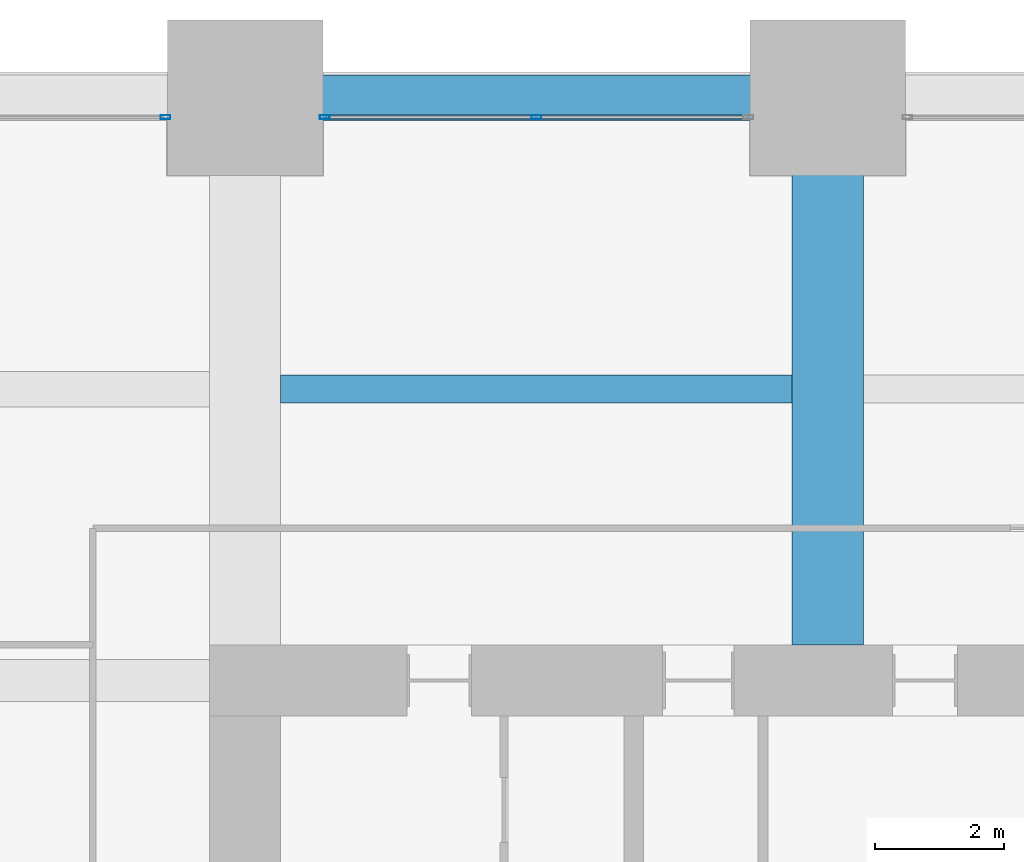
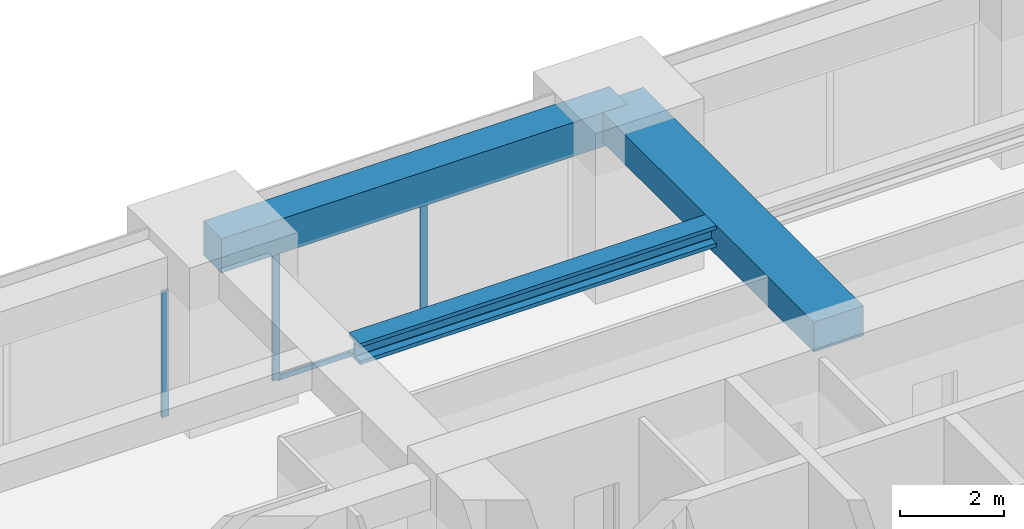
# One storey, part 24 of 32: 4 members, 3 beams, 2 elements without a shape of their own.
"""IFC4 building model written with IfcOpenShell, lengths in metres."""

import ifcopenshell
import ifcopenshell.guid

model = None  # the IFC model being written
_history = None  # IfcOwnerHistory: only IFC2X3 demands one
_inside = {}  # id of a spatial element -> (the spatial element, [elements in it])
_under = {}  # id of a project, library or spatial element -> (it, [spatial elements below it])
_declared = {}  # id of a project -> (the project, [libraries it declares])
_typed = {}  # id of a type object -> (the type object, [elements of that type])
_made_of = {}  # id of a material, layer set ... -> (it, [elements and type objects made of it])


def new_model(schema):
    """Start an empty IFC model of exactly this schema.

    Asked for "IFC4X3", IfcOpenShell would pick the latest addendum, in which some entities
    have other attributes; the version numbers below select the first issue.
    IFC2X3 requires an IfcOwnerHistory on every rooted entity: one is made here for all.
    """
    global model, _history
    if schema == "IFC4X3":
        model = ifcopenshell.file(schema_version=(4, 3, 0, 0))
    else:
        model = ifcopenshell.file(schema=schema)
    _inside.clear()
    _under.clear()
    _declared.clear()
    _typed.clear()
    _made_of.clear()
    _history = None
    if model.schema == "IFC2X3":
        org = make("IfcOrganization", Name="unknown")
        user = make(
            "IfcPersonAndOrganization",
            ThePerson=make("IfcPerson", FamilyName="unknown"),
            TheOrganization=org,
        )
        app = make(
            "IfcApplication",
            ApplicationDeveloper=org,
            Version="unknown",
            ApplicationFullName="unknown",
            ApplicationIdentifier="unknown",
        )
        _history = make(
            "IfcOwnerHistory",
            OwningUser=user,
            OwningApplication=app,
            ChangeAction="ADDED",
            CreationDate=0,
        )
    return model


def make(cls, **values):
    """One entity of the class cls with the attributes given. An attribute that is None is left unset."""
    return model.create_entity(
        cls, **{name: value for name, value in values.items() if value is not None}
    )


def rooted(cls, **values):
    """An entity with a GlobalId (a new one), such as an element, a storey or a relation."""
    return make(cls, GlobalId=ifcopenshell.guid.new(), OwnerHistory=_history, **values)


def si_unit(unit_type, name, prefix=None):
    """IfcSIUnit, for example si_unit("LENGTHUNIT", "METRE", prefix="MILLI")."""
    return make("IfcSIUnit", UnitType=unit_type, Prefix=prefix, Name=name)


def assignment(units):
    """IfcUnitAssignment: the units of a project."""
    return None if units is None else make("IfcUnitAssignment", Units=units)


def point(xyz):
    """IfcCartesianPoint."""
    return None if xyz is None else make("IfcCartesianPoint", Coordinates=xyz)


def direction(xyz):
    """IfcDirection."""
    return None if xyz is None else make("IfcDirection", DirectionRatios=xyz)


def frame(location, z_axis=None, x_axis=None):
    """IfcAxis2Placement3D, a coordinate frame: its origin and axes. An axis left out is left unset."""
    return make(
        "IfcAxis2Placement3D",
        Location=point(location),
        Axis=direction(z_axis),
        RefDirection=direction(x_axis),
    )


def frame_2d(location, x_axis=None):
    """IfcAxis2Placement2D, a coordinate frame in the plane: its origin and x axis."""
    return make(
        "IfcAxis2Placement2D", Location=point(location), RefDirection=direction(x_axis)
    )


def origin():
    """The frame at (0, 0, 0) with its axes left unset."""
    return frame((0.0, 0.0, 0.0))


def origin_2d():
    """The frame at (0, 0) in the plane with its x axis left unset."""
    return frame_2d((0.0, 0.0))


def place(relative_to, where):
    """IfcLocalPlacement: puts the frame where relative to a parent placement (None: the world)."""
    return make(
        "IfcLocalPlacement", PlacementRelTo=relative_to, RelativePlacement=where
    )


def context(
    kind, dimensions, precision=None, world=None, true_north=None, identifier=None
):
    """IfcGeometricRepresentationContext, for example the 3D "Model" context."""
    return make(
        "IfcGeometricRepresentationContext",
        ContextIdentifier=identifier,
        ContextType=kind,
        CoordinateSpaceDimension=dimensions,
        Precision=precision,
        WorldCoordinateSystem=world,
        TrueNorth=true_north,
    )


def subcontext(parent, identifier, kind, view, scale=None):
    """IfcGeometricRepresentationSubContext, for example "Body" below "Model"."""
    return make(
        "IfcGeometricRepresentationSubContext",
        ContextIdentifier=identifier,
        ContextType=kind,
        ParentContext=parent,
        TargetScale=scale,
        TargetView=view,
    )


def project(units=None, contexts=None):
    """IfcProject with its units and contexts."""
    return rooted(
        "IfcProject",
        Name="project",
        RepresentationContexts=contexts,
        UnitsInContext=assignment(units),
    )


def spatial(cls, under=None, at=None, **own):
    """A site, building, storey or space (cls), placed at a placement, below another one or the project."""
    s = rooted(cls, ObjectPlacement=at, **own)
    if under is not None:
        _under.setdefault(under.id(), (under, []))[1].append(s)
    return s


def profile(cls, at=None, kind="AREA", **sizes):
    """A parametric profile (cls). Its sizes go by their IFC names, for example OverallWidth=200.0."""
    return make(cls, ProfileType=kind, Position=at, **sizes)


def rectangle(**sizes):
    """IfcRectangleProfileDef."""
    return profile("IfcRectangleProfileDef", **sizes)


def hollow_rectangle(**sizes):
    """IfcRectangleHollowProfileDef."""
    return profile("IfcRectangleHollowProfileDef", **sizes)


def i_section(**sizes):
    """IfcIShapeProfileDef."""
    return profile("IfcIShapeProfileDef", **sizes)


def extrude(swept, where, along, depth):
    """IfcExtrudedAreaSolid: the profile swept, set in the frame where, extruded along a direction by depth."""
    return make(
        "IfcExtrudedAreaSolid",
        SweptArea=swept,
        Position=where,
        ExtrudedDirection=direction(along),
        Depth=depth,
    )


def shape(context_of_items, identifier, shape_type, items):
    """IfcShapeRepresentation: the items that make up one representation, for example the "Body"."""
    return make(
        "IfcShapeRepresentation",
        ContextOfItems=context_of_items,
        RepresentationIdentifier=identifier,
        RepresentationType=shape_type,
        Items=items,
    )


def material(Name=None, Category=None):
    """IfcMaterial."""
    return make("IfcMaterial", Name=Name, Category=Category)


def material_profile(
    of_material, cross_section, Name=None, Category=None, Priority=None
):
    """IfcMaterialProfile: a cross section and its material."""
    return make(
        "IfcMaterialProfile",
        Name=Name,
        Material=of_material,
        Profile=cross_section,
        Priority=Priority,
        Category=Category,
    )


def profile_set(profiles, Name=None, composite=None):
    """IfcMaterialProfileSet."""
    return make(
        "IfcMaterialProfileSet",
        Name=Name,
        MaterialProfiles=profiles,
        CompositeProfile=composite,
    )


def made_of(thing, what):
    """Note that an element or type object is made of a material, layer set ...; save() writes the relation."""
    if what is not None:
        _made_of.setdefault(what.id(), (what, []))[1].append(thing)
    return thing


def type_object(cls, material=None, **own):
    """A type object (cls), such as IfcWallType, which elements share."""
    return made_of(rooted(cls, **own), material)


def element(
    cls,
    number,
    at=None,
    inside=None,
    cuts=None,
    type_object=None,
    material=None,
    context=None,
    identifier="Body",
    shape_type=None,
    held_by="IfcProductDefinitionShape",
    body=None,
    shapes=None,
    **own,
):
    """One element of the class cls, such as IfcWall. Its Tag is "e" and its number.

    at: its placement. inside: the storey or other place that contains it. cuts: it is an
    opening in that element (IfcRelVoidsElement). A single representation is given by context,
    identifier, shape_type and body (its items); several are given by shapes. held_by: the class
    of the entity that holds the representations. save() writes the other relations.
    """
    e = rooted(cls, Tag="e%d" % number, ObjectPlacement=at, **own)
    if body is not None:
        shapes = [shape(context, identifier, shape_type, body)]
    if shapes is not None:
        e.Representation = make(held_by, Representations=shapes)
    if inside is not None:
        _inside.setdefault(inside.id(), (inside, []))[1].append(e)
    if cuts is not None:
        rooted(
            "IfcRelVoidsElement", RelatingBuildingElement=cuts, RelatedOpeningElement=e
        )
    if type_object is not None:
        _typed.setdefault(type_object.id(), (type_object, []))[1].append(e)
    return made_of(e, material)


def aggregate(whole, parts):
    """IfcRelAggregates: a whole, such as a stair, and the parts it consists of."""
    return rooted("IfcRelAggregates", RelatingObject=whole, RelatedObjects=parts)


def save(model, path):
    """Write the relations noted so far, then the file.

    IfcRelAggregates (storeys below a building ...), IfcRelContainedInSpatialStructure (elements
    in a storey), IfcRelDefinesByType, IfcRelAssociatesMaterial and IfcRelDeclares: one each for
    every whole, place, type object, material and project.
    """
    for whole, parts in _under.values():
        aggregate(whole, parts)
    for where, things in _inside.values():
        rooted(
            "IfcRelContainedInSpatialStructure",
            RelatedElements=things,
            RelatingStructure=where,
        )
    for kind, things in _typed.values():
        rooted("IfcRelDefinesByType", RelatedObjects=things, RelatingType=kind)
    for what, things in _made_of.values():
        rooted("IfcRelAssociatesMaterial", RelatedObjects=things, RelatingMaterial=what)
    for by, libraries in _declared.values():
        rooted("IfcRelDeclares", RelatingContext=by, RelatedDefinitions=libraries)
    model.write(path)


model = new_model("IFC4")

# Units and contexts
model_context = context("Model", 3, precision=1e-05, world=origin(), true_north=direction((0.0, 1.0)))
body_context = subcontext(model_context, "Body", "Model", "MODEL_VIEW")
ifc_project = project(units=[si_unit("LENGTHUNIT", "METRE"), si_unit("AREAUNIT", "SQUARE_METRE"), si_unit("VOLUMEUNIT", "CUBIC_METRE"), si_unit("PLANEANGLEUNIT", "RADIAN"), si_unit("MASSUNIT", "GRAM", prefix="KILO")], contexts=[model_context])

# Site, building, storey
site_placement = place(None, origin())
site = spatial("IfcSite", under=ifc_project, at=site_placement, CompositionType="ELEMENT")
building_placement = place(site_placement, origin())
building = spatial("IfcBuilding", under=site, at=building_placement, Name="Zorevar Civic Tower", CompositionType="ELEMENT")
storey_placement = place(building_placement, frame((0.0, 0.0, 182.199951171875)))
storey = spatial("IfcBuildingStorey", under=building, at=storey_placement, Name="L44", CompositionType="ELEMENT", Elevation=182.199951171875)

# Beam
ifc_material_1 = material(Name="Concrete C50/60", Category="concrete")
ifc_material_profile_1 = material_profile(ifc_material_1, rectangle(XDim=1.10009765625, YDim=0.699951171875, at=origin_2d()), Name="RC 1100x700")
ifc_profile_set_1 = profile_set([ifc_material_profile_1], Name="Concrete C50/60")
beam_type_1 = type_object("IfcBeamType", Name="Beam RC 1100x700", PredefinedType="BEAM", material=ifc_profile_set_1)
beam_1_placement = place(storey_placement, frame((27.0, 36.550048828125, 3.400146484375), z_axis=(0.0, 1.0, 0.0), x_axis=(-1.0, 0.0, 0.0)))
element("IfcBeam", 1, at=beam_1_placement, inside=storey, type_object=beam_type_1, Name="Girder L45", PredefinedType="BEAM", context=body_context, shape_type="SweptSolid", body=[
    extrude(rectangle(XDim=1.10009765625, YDim=0.699951171875, at=origin_2d()), origin(), (0.0, 0.0, 1.0), 8.449951171875),
])

# Curtain wall, member
ifc_material_2 = material(Name="Dark grey solar-control glass in black aluminium frame", Category="aluminium")
curtain_wall_type = type_object("IfcCurtainWallType", Name="Curtain wall CW4 high zone", PredefinedType="NOTDEFINED", material=ifc_material_2)
curtain_wall_1_placement = place(storey_placement, origin())
curtain_wall_1 = element("IfcCurtainWall", 2, at=curtain_wall_1_placement, inside=storey, type_object=curtain_wall_type, Name="CW4 L44", PredefinedType="NOTDEFINED")
ifc_material_3 = material(Name="Aluminium, black anodised", Category="aluminium")
ifc_material_profile_2 = material_profile(ifc_material_3, hollow_rectangle(XDim=0.06005859375, YDim=0.14990234375, WallThickness=0.00390625, at=origin_2d()), Name="AL 150x60x4")
ifc_profile_set_2 = profile_set([ifc_material_profile_2], Name="Aluminium, black anodised")
member_type_1 = type_object("IfcMemberType", Name="CW4 mullion AL 150x60x4", PredefinedType="MULLION", material=ifc_profile_set_2)
member_1_placement = place(storey_placement, frame((16.77001953125, 44.699951171875, 0.0), z_axis=(0.0, 0.0, 1.0), x_axis=(0.0, 1.0, 0.0)))
member_1 = element("IfcMember", 3, at=member_1_placement, type_object=member_type_1, Name="CW4 mullion 3", PredefinedType="MULLION", context=body_context, shape_type="SweptSolid", body=[
    extrude(hollow_rectangle(XDim=0.06005859375, YDim=0.14990234375, WallThickness=0.00390625, at=origin_2d()), origin(), (0.0, 0.0, 1.0), 2.949951171875),
])
aggregate(curtain_wall_1, [member_1])

# Curtain wall, members
curtain_wall_2_placement = place(storey_placement, origin())
curtain_wall_2 = element("IfcCurtainWall", 4, at=curtain_wall_2_placement, inside=storey, type_object=curtain_wall_type, Name="CW4 L44", PredefinedType="NOTDEFINED")
member_2_placement = place(storey_placement, frame((19.22998046875, 44.699951171875, 0.0), z_axis=(0.0, 0.0, 1.0), x_axis=(0.0, 1.0, 0.0)))
member_2 = element("IfcMember", 5, at=member_2_placement, type_object=member_type_1, Name="CW4 mullion 1", PredefinedType="MULLION", context=body_context, shape_type="SweptSolid", body=[
    extrude(hollow_rectangle(XDim=0.06005859375, YDim=0.14990234375, WallThickness=0.00390625, at=origin_2d()), origin(), (0.0, 0.0, 1.0), 2.949951171875),
])
member_3_placement = place(storey_placement, frame((22.5, 44.699951171875, 0.06005859375), z_axis=(0.0, 0.0, 1.0), x_axis=(0.0, 1.0, 0.0)))
member_3 = element("IfcMember", 6, at=member_3_placement, type_object=member_type_1, Name="CW4 mullion 2", PredefinedType="MULLION", context=body_context, shape_type="SweptSolid", body=[
    extrude(hollow_rectangle(XDim=0.06005859375, YDim=0.14990234375, WallThickness=0.00390625, at=origin_2d()), origin(), (0.0, 0.0, 1.0), 2.889892578125),
])
ifc_material_4 = material(Name="Aluminium, black anodised", Category="aluminium")
ifc_material_profile_3 = material_profile(ifc_material_4, hollow_rectangle(XDim=0.06005859375, YDim=0.1201171875, WallThickness=0.0029296875, at=origin_2d()), Name="AL 120x60x3")
ifc_profile_set_3 = profile_set([ifc_material_profile_3], Name="Aluminium, black anodised")
member_type_2 = type_object("IfcMemberType", Name="CW4 transom AL 120x60x3", PredefinedType="USERDEFINED", material=ifc_profile_set_3)
member_4_placement = place(storey_placement, frame((19.260009765625, 44.699951171875, 0.030029296875), z_axis=(1.0, 0.0, 0.0), x_axis=(0.0, 1.0, 0.0)))
member_4 = element("IfcMember", 7, at=member_4_placement, type_object=member_type_2, Name="CW4 sill transom", ObjectType="TRANSOM", PredefinedType="USERDEFINED", context=body_context, shape_type="SweptSolid", body=[
    extrude(hollow_rectangle(XDim=0.06005859375, YDim=0.1201171875, WallThickness=0.0029296875, at=origin_2d()), origin(), (0.0, 0.0, 1.0), 6.47998046875),
])
aggregate(curtain_wall_2, [member_2, member_3, member_4])

# Beams
ifc_material_5 = material(Name="Steel S460M (HISTAR 460)", Category="steel")
ifc_material_profile_4 = material_profile(ifc_material_5, i_section(OverallWidth=0.431884765625, OverallDepth=0.498046875, WebThickness=0.0556640625, FlangeThickness=0.0888671875, FilletRadius=0.014892578125, at=origin_2d()), Name="HD 400x744")
ifc_profile_set_4 = profile_set([ifc_material_profile_4], Name="Steel S460M (HISTAR 460)")
beam_type_2 = type_object("IfcBeamType", Name="Core bay beam HD 400x744", PredefinedType="BEAM", material=ifc_profile_set_4)
beam_2_placement = place(storey_placement, frame((18.550048828125, 40.5, 3.5009765625), z_axis=(1.0, 0.0, 0.0), x_axis=(0.0, 1.0, 0.0)))
element("IfcBeam", 8, at=beam_2_placement, inside=storey, type_object=beam_type_2, Name="Secondary beam L45", PredefinedType="BEAM", context=body_context, shape_type="SweptSolid", body=[
    extrude(i_section(OverallWidth=0.431884765625, OverallDepth=0.498046875, WebThickness=0.0556640625, FlangeThickness=0.0888671875, FilletRadius=0.014892578125, at=origin_2d()), origin(), (0.0, 0.0, 1.0), 7.89990234375),
])
ifc_material_6 = material(Name="Concrete C50/60", Category="concrete")
ifc_material_profile_5 = material_profile(ifc_material_6, rectangle(XDim=0.699951171875, YDim=0.800048828125, at=origin_2d()), Name="RC 700x800")
ifc_profile_set_5 = profile_set([ifc_material_profile_5], Name="Concrete C50/60")
beam_type_3 = type_object("IfcBeamType", Name="Edge beam RC 700x800", PredefinedType="SPANDREL", material=ifc_profile_set_5)
beam_3_placement = place(storey_placement, frame((18.0, 45.0, 3.35009765625), z_axis=(1.0, 0.0, 0.0), x_axis=(0.0, 1.0, 0.0)))
element("IfcBeam", 9, at=beam_3_placement, inside=storey, type_object=beam_type_3, Name="Edge beam L45", PredefinedType="SPANDREL", context=body_context, shape_type="SweptSolid", body=[
    extrude(rectangle(XDim=0.699951171875, YDim=0.800048828125, at=origin_2d()), origin(), (0.0, 0.0, 1.0), 9.0),
])

save(model, "model.ifc")
